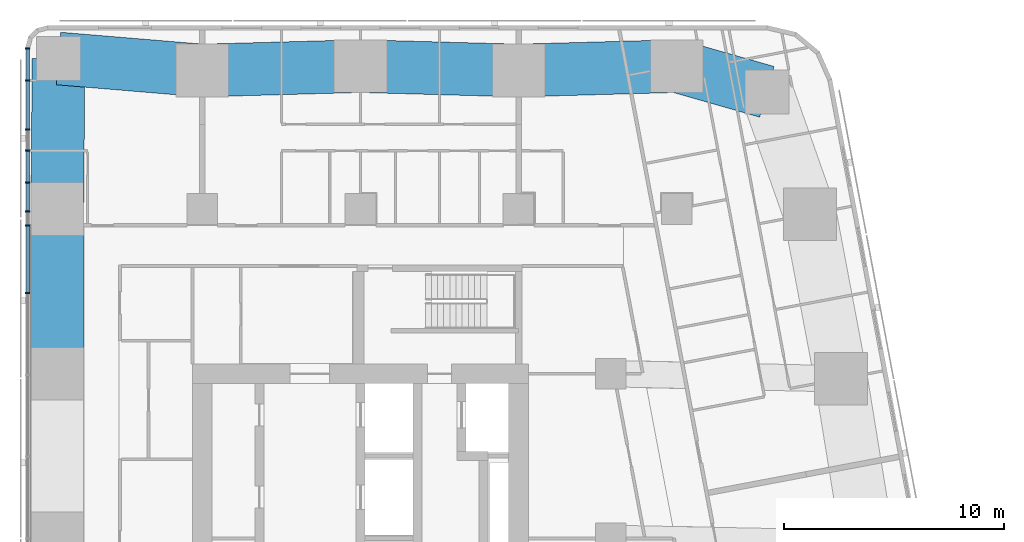
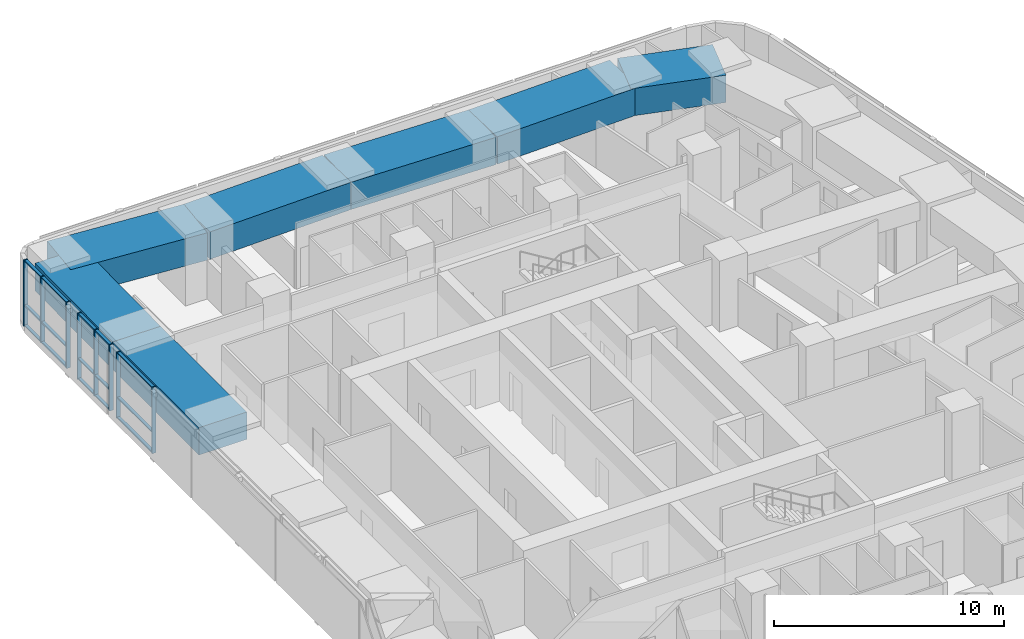
# One storey, part 5 of 19: 23 members, 7 beams, 1 element without a shape of its own.
"""IFC4 building model written with IfcOpenShell, lengths in metres."""

import ifcopenshell
import ifcopenshell.guid

model = None  # the IFC model being written
_history = None  # IfcOwnerHistory: only IFC2X3 demands one
_inside = {}  # id of a spatial element -> (the spatial element, [elements in it])
_under = {}  # id of a project, library or spatial element -> (it, [spatial elements below it])
_declared = {}  # id of a project -> (the project, [libraries it declares])
_typed = {}  # id of a type object -> (the type object, [elements of that type])
_made_of = {}  # id of a material, layer set ... -> (it, [elements and type objects made of it])


def new_model(schema):
    """Start an empty IFC model of exactly this schema.

    Asked for "IFC4X3", IfcOpenShell would pick the latest addendum, in which some entities
    have other attributes; the version numbers below select the first issue.
    IFC2X3 requires an IfcOwnerHistory on every rooted entity: one is made here for all.
    """
    global model, _history
    if schema == "IFC4X3":
        model = ifcopenshell.file(schema_version=(4, 3, 0, 0))
    else:
        model = ifcopenshell.file(schema=schema)
    _inside.clear()
    _under.clear()
    _declared.clear()
    _typed.clear()
    _made_of.clear()
    _history = None
    if model.schema == "IFC2X3":
        org = make("IfcOrganization", Name="unknown")
        user = make(
            "IfcPersonAndOrganization",
            ThePerson=make("IfcPerson", FamilyName="unknown"),
            TheOrganization=org,
        )
        app = make(
            "IfcApplication",
            ApplicationDeveloper=org,
            Version="unknown",
            ApplicationFullName="unknown",
            ApplicationIdentifier="unknown",
        )
        _history = make(
            "IfcOwnerHistory",
            OwningUser=user,
            OwningApplication=app,
            ChangeAction="ADDED",
            CreationDate=0,
        )
    return model


def make(cls, **values):
    """One entity of the class cls with the attributes given. An attribute that is None is left unset."""
    return model.create_entity(
        cls, **{name: value for name, value in values.items() if value is not None}
    )


def rooted(cls, **values):
    """An entity with a GlobalId (a new one), such as an element, a storey or a relation."""
    return make(cls, GlobalId=ifcopenshell.guid.new(), OwnerHistory=_history, **values)


def si_unit(unit_type, name, prefix=None):
    """IfcSIUnit, for example si_unit("LENGTHUNIT", "METRE", prefix="MILLI")."""
    return make("IfcSIUnit", UnitType=unit_type, Prefix=prefix, Name=name)


def assignment(units):
    """IfcUnitAssignment: the units of a project."""
    return None if units is None else make("IfcUnitAssignment", Units=units)


def point(xyz):
    """IfcCartesianPoint."""
    return None if xyz is None else make("IfcCartesianPoint", Coordinates=xyz)


def direction(xyz):
    """IfcDirection."""
    return None if xyz is None else make("IfcDirection", DirectionRatios=xyz)


def frame(location, z_axis=None, x_axis=None):
    """IfcAxis2Placement3D, a coordinate frame: its origin and axes. An axis left out is left unset."""
    return make(
        "IfcAxis2Placement3D",
        Location=point(location),
        Axis=direction(z_axis),
        RefDirection=direction(x_axis),
    )


def frame_2d(location, x_axis=None):
    """IfcAxis2Placement2D, a coordinate frame in the plane: its origin and x axis."""
    return make(
        "IfcAxis2Placement2D", Location=point(location), RefDirection=direction(x_axis)
    )


def origin():
    """The frame at (0, 0, 0) with its axes left unset."""
    return frame((0.0, 0.0, 0.0))


def origin_2d():
    """The frame at (0, 0) in the plane with its x axis left unset."""
    return frame_2d((0.0, 0.0))


def place(relative_to, where):
    """IfcLocalPlacement: puts the frame where relative to a parent placement (None: the world)."""
    return make(
        "IfcLocalPlacement", PlacementRelTo=relative_to, RelativePlacement=where
    )


def context(
    kind, dimensions, precision=None, world=None, true_north=None, identifier=None
):
    """IfcGeometricRepresentationContext, for example the 3D "Model" context."""
    return make(
        "IfcGeometricRepresentationContext",
        ContextIdentifier=identifier,
        ContextType=kind,
        CoordinateSpaceDimension=dimensions,
        Precision=precision,
        WorldCoordinateSystem=world,
        TrueNorth=true_north,
    )


def subcontext(parent, identifier, kind, view, scale=None):
    """IfcGeometricRepresentationSubContext, for example "Body" below "Model"."""
    return make(
        "IfcGeometricRepresentationSubContext",
        ContextIdentifier=identifier,
        ContextType=kind,
        ParentContext=parent,
        TargetScale=scale,
        TargetView=view,
    )


def project(units=None, contexts=None):
    """IfcProject with its units and contexts."""
    return rooted(
        "IfcProject",
        Name="project",
        RepresentationContexts=contexts,
        UnitsInContext=assignment(units),
    )


def spatial(cls, under=None, at=None, **own):
    """A site, building, storey or space (cls), placed at a placement, below another one or the project."""
    s = rooted(cls, ObjectPlacement=at, **own)
    if under is not None:
        _under.setdefault(under.id(), (under, []))[1].append(s)
    return s


def profile(cls, at=None, kind="AREA", **sizes):
    """A parametric profile (cls). Its sizes go by their IFC names, for example OverallWidth=200.0."""
    return make(cls, ProfileType=kind, Position=at, **sizes)


def rectangle(**sizes):
    """IfcRectangleProfileDef."""
    return profile("IfcRectangleProfileDef", **sizes)


def extrude(swept, where, along, depth):
    """IfcExtrudedAreaSolid: the profile swept, set in the frame where, extruded along a direction by depth."""
    return make(
        "IfcExtrudedAreaSolid",
        SweptArea=swept,
        Position=where,
        ExtrudedDirection=direction(along),
        Depth=depth,
    )


def shape(context_of_items, identifier, shape_type, items):
    """IfcShapeRepresentation: the items that make up one representation, for example the "Body"."""
    return make(
        "IfcShapeRepresentation",
        ContextOfItems=context_of_items,
        RepresentationIdentifier=identifier,
        RepresentationType=shape_type,
        Items=items,
    )


def material(Name=None, Category=None):
    """IfcMaterial."""
    return make("IfcMaterial", Name=Name, Category=Category)


def material_profile(
    of_material, cross_section, Name=None, Category=None, Priority=None
):
    """IfcMaterialProfile: a cross section and its material."""
    return make(
        "IfcMaterialProfile",
        Name=Name,
        Material=of_material,
        Profile=cross_section,
        Priority=Priority,
        Category=Category,
    )


def profile_set(profiles, Name=None, composite=None):
    """IfcMaterialProfileSet."""
    return make(
        "IfcMaterialProfileSet",
        Name=Name,
        MaterialProfiles=profiles,
        CompositeProfile=composite,
    )


def made_of(thing, what):
    """Note that an element or type object is made of a material, layer set ...; save() writes the relation."""
    if what is not None:
        _made_of.setdefault(what.id(), (what, []))[1].append(thing)
    return thing


def type_object(cls, material=None, **own):
    """A type object (cls), such as IfcWallType, which elements share."""
    return made_of(rooted(cls, **own), material)


def element(
    cls,
    number,
    at=None,
    inside=None,
    cuts=None,
    type_object=None,
    material=None,
    context=None,
    identifier="Body",
    shape_type=None,
    held_by="IfcProductDefinitionShape",
    body=None,
    shapes=None,
    **own,
):
    """One element of the class cls, such as IfcWall. Its Tag is "e" and its number.

    at: its placement. inside: the storey or other place that contains it. cuts: it is an
    opening in that element (IfcRelVoidsElement). A single representation is given by context,
    identifier, shape_type and body (its items); several are given by shapes. held_by: the class
    of the entity that holds the representations. save() writes the other relations.
    """
    e = rooted(cls, Tag="e%d" % number, ObjectPlacement=at, **own)
    if body is not None:
        shapes = [shape(context, identifier, shape_type, body)]
    if shapes is not None:
        e.Representation = make(held_by, Representations=shapes)
    if inside is not None:
        _inside.setdefault(inside.id(), (inside, []))[1].append(e)
    if cuts is not None:
        rooted(
            "IfcRelVoidsElement", RelatingBuildingElement=cuts, RelatedOpeningElement=e
        )
    if type_object is not None:
        _typed.setdefault(type_object.id(), (type_object, []))[1].append(e)
    return made_of(e, material)


def aggregate(whole, parts):
    """IfcRelAggregates: a whole, such as a stair, and the parts it consists of."""
    return rooted("IfcRelAggregates", RelatingObject=whole, RelatedObjects=parts)


def save(model, path):
    """Write the relations noted so far, then the file.

    IfcRelAggregates (storeys below a building ...), IfcRelContainedInSpatialStructure (elements
    in a storey), IfcRelDefinesByType, IfcRelAssociatesMaterial and IfcRelDeclares: one each for
    every whole, place, type object, material and project.
    """
    for whole, parts in _under.values():
        aggregate(whole, parts)
    for where, things in _inside.values():
        rooted(
            "IfcRelContainedInSpatialStructure",
            RelatedElements=things,
            RelatingStructure=where,
        )
    for kind, things in _typed.values():
        rooted("IfcRelDefinesByType", RelatedObjects=things, RelatingType=kind)
    for what, things in _made_of.values():
        rooted("IfcRelAssociatesMaterial", RelatedObjects=things, RelatingMaterial=what)
    for by, libraries in _declared.values():
        rooted("IfcRelDeclares", RelatingContext=by, RelatedDefinitions=libraries)
    model.write(path)


model = new_model("IFC4")

# Units and contexts
model_context = context("Model", 3, precision=1e-05, world=origin(), true_north=direction((0.0, 1.0)))
body_context = subcontext(model_context, "Body", "Model", "MODEL_VIEW")
ifc_project = project(units=[si_unit("LENGTHUNIT", "METRE"), si_unit("AREAUNIT", "SQUARE_METRE"), si_unit("VOLUMEUNIT", "CUBIC_METRE"), si_unit("PLANEANGLEUNIT", "RADIAN"), si_unit("MASSUNIT", "GRAM", prefix="KILO")], contexts=[model_context])

# Site, building, storey
site_placement = place(None, origin())
site = spatial("IfcSite", under=ifc_project, at=site_placement, CompositionType="ELEMENT")
building_placement = place(site_placement, origin())
building = spatial("IfcBuilding", under=site, at=building_placement, Name="Sheger Commons Tower", CompositionType="ELEMENT")
storey_placement = place(building_placement, frame((0.0, 0.0, 197.449951171875)))
storey = spatial("IfcBuildingStorey", under=building, at=storey_placement, Name="L50", CompositionType="ELEMENT", Elevation=197.449951171875)

# Curtain wall, members
ifc_material_1 = material(Name="Black aluminium curtain wall, dark tinted glazing", Category="aluminium")
curtain_wall_type = type_object("IfcCurtainWallType", Name="CURTAIN WALL CW4 GALLERY", PredefinedType="USERDEFINED", material=ifc_material_1)
curtain_wall_placement = place(storey_placement, origin())
curtain_wall = element("IfcCurtainWall", 1, at=curtain_wall_placement, inside=storey, type_object=curtain_wall_type, Name="Curtain Wall Cw4 Gallery W1 L50", ObjectType="UNITISED CURTAIN WALL", PredefinedType="USERDEFINED")
ifc_material_2 = material(Name="Black anodised aluminium", Category="aluminium")
ifc_material_profile_1 = material_profile(ifc_material_2, rectangle(XDim=0.199951171875, YDim=0.06494140625, at=origin_2d()), Name="AL 65x200")
ifc_profile_set_1 = profile_set([ifc_material_profile_1], Name="Black anodised aluminium")
member_type_1 = type_object("IfcMemberType", Name="MULLION AL 65x200", PredefinedType="MULLION", material=ifc_profile_set_1)
member_1_placement = place(storey_placement, frame((6.449951171875, 44.804443359375, 0.0), z_axis=(0.0, 0.0, 1.0), x_axis=(1.0, 0.0, 0.0)))
member_1 = element("IfcMember", 2, at=member_1_placement, type_object=member_type_1, Name="CW4 mullion 1", PredefinedType="MULLION", context=body_context, shape_type="SweptSolid", body=[
    extrude(rectangle(XDim=0.199951171875, YDim=0.06494140625, at=origin_2d()), origin(), (0.0, 0.0, 1.0), 3.5),
])
member_2_placement = place(storey_placement, frame((6.449951171875, 43.345947265625, 0.0), z_axis=(0.0, 0.0, 1.0), x_axis=(1.0, 0.0, 0.0)))
member_2 = element("IfcMember", 3, at=member_2_placement, type_object=member_type_1, Name="CW4 mullion 2", PredefinedType="MULLION", context=body_context, shape_type="SweptSolid", body=[
    extrude(rectangle(XDim=0.199951171875, YDim=0.06494140625, at=origin_2d()), origin(), (0.0, 0.0, 1.0), 3.5),
])
member_3_placement = place(storey_placement, frame((6.449951171875, 41.114013671875, 0.0), z_axis=(0.0, 0.0, 1.0), x_axis=(1.0, 0.0, 0.0)))
member_3 = element("IfcMember", 4, at=member_3_placement, type_object=member_type_1, Name="CW4 mullion 3", PredefinedType="MULLION", context=body_context, shape_type="SweptSolid", body=[
    extrude(rectangle(XDim=0.199951171875, YDim=0.06494140625, at=origin_2d()), origin(), (0.0, 0.0, 1.0), 3.5),
])
member_4_placement = place(storey_placement, frame((6.449951171875, 40.14990234375, 0.0), z_axis=(0.0, 0.0, 1.0), x_axis=(1.0, 0.0, 0.0)))
member_4 = element("IfcMember", 5, at=member_4_placement, type_object=member_type_1, Name="CW4 mullion 4", PredefinedType="MULLION", context=body_context, shape_type="SweptSolid", body=[
    extrude(rectangle(XDim=0.199951171875, YDim=0.06494140625, at=origin_2d()), origin(), (0.0, 0.0, 1.0), 3.5),
])
member_5_placement = place(storey_placement, frame((6.449951171875, 38.699951171875, 0.0), z_axis=(0.0, 0.0, 1.0), x_axis=(1.0, 0.0, 0.0)))
member_5 = element("IfcMember", 6, at=member_5_placement, type_object=member_type_1, Name="CW4 mullion 5", PredefinedType="MULLION", context=body_context, shape_type="SweptSolid", body=[
    extrude(rectangle(XDim=0.199951171875, YDim=0.06494140625, at=origin_2d()), origin(), (0.0, 0.0, 1.0), 3.5),
])
member_6_placement = place(storey_placement, frame((6.449951171875, 37.39111328125, 0.0), z_axis=(0.0, 0.0, 1.0), x_axis=(1.0, 0.0, 0.0)))
member_6 = element("IfcMember", 7, at=member_6_placement, type_object=member_type_1, Name="CW4 mullion 6", PredefinedType="MULLION", context=body_context, shape_type="SweptSolid", body=[
    extrude(rectangle(XDim=0.199951171875, YDim=0.06494140625, at=origin_2d()), origin(), (0.0, 0.0, 1.0), 3.5),
])
member_7_placement = place(storey_placement, frame((6.449951171875, 36.75, 0.0), z_axis=(0.0, 0.0, 1.0), x_axis=(1.0, 0.0, 0.0)))
member_7 = element("IfcMember", 8, at=member_7_placement, type_object=member_type_1, Name="CW4 mullion 7", PredefinedType="MULLION", context=body_context, shape_type="SweptSolid", body=[
    extrude(rectangle(XDim=0.199951171875, YDim=0.06494140625, at=origin_2d()), origin(), (0.0, 0.0, 1.0), 3.5),
])
member_8_placement = place(storey_placement, frame((6.449951171875, 33.66796875, 0.0), z_axis=(0.0, 0.0, 1.0), x_axis=(1.0, 0.0, 0.0)))
member_8 = element("IfcMember", 9, at=member_8_placement, type_object=member_type_1, Name="CW4 mullion 8", PredefinedType="MULLION", context=body_context, shape_type="SweptSolid", body=[
    extrude(rectangle(XDim=0.199951171875, YDim=0.06494140625, at=origin_2d()), origin(), (0.0, 0.0, 1.0), 3.5),
])

# Beams
ifc_material_3 = material(Name="Concrete C50/60", Category="concrete")
ifc_material_profile_2 = material_profile(ifc_material_3, rectangle(XDim=2.39990234375, YDim=1.449951171875, at=origin_2d()), Name="RC 2400x1450")
ifc_profile_set_2 = profile_set([ifc_material_profile_2], Name="Concrete C50/60")
beam_type = type_object("IfcBeamType", Name="SPANDREL RC 2400x1450", PredefinedType="SPANDREL", material=ifc_profile_set_2)
beam_1_placement = place(storey_placement, frame((40.10205078125, 42.830078125, 2.775146484375), z_axis=(-0.961653428129, 0.274267541221, 0.0), x_axis=(-0.274267541221, -0.961653428129, 0.0)))
element("IfcBeam", 10, at=beam_1_placement, inside=storey, type_object=beam_type, Name="Beam 41.490,44.505-6/G under L51", PredefinedType="SPANDREL", context=body_context, shape_type="SweptSolid", body=[
    extrude(rectangle(XDim=2.39990234375, YDim=1.449951171875, at=origin_2d()), origin(), (0.0, 0.0, 1.0), 4.265625),
])
for number, where, z_axis, x_axis, name in (
    (11, (36.0, 44.0, 2.775146484375), (-0.999614603568, -0.027760481514, 0.0), (0.027760481514, -0.999614603568, 0.0), "Beam 6/G-5/G under L51"),
    (12, (28.800048828125, 43.800048828125, 2.775146484375), (-0.999614603568, 0.027760481514, 0.0), (-0.027760481514, -0.999614603568, 0.0), "Beam 5/G-4/G under L51"),
):
    element("IfcBeam", number, at=place(storey_placement, frame(where, z_axis=z_axis, x_axis=x_axis)), inside=storey, type_object=beam_type, Name=name, PredefinedType="SPANDREL", context=body_context, shape_type="SweptSolid", body=[
        extrude(rectangle(XDim=2.39990234375, YDim=1.449951171875, at=origin_2d()), origin(), (0.0, 0.0, 1.0), 7.20263671875),
    ])
beam_2_placement = place(storey_placement, frame((21.60009765625, 44.0, 2.775146484375), z_axis=(-0.999614629688, -0.027759540951, 0.0), x_axis=(0.027759540951, -0.999614629688, 0.0)))
element("IfcBeam", 13, at=beam_2_placement, inside=storey, type_object=beam_type, Name="Beam 4/G-3/G under L51", PredefinedType="SPANDREL", context=body_context, shape_type="SweptSolid", body=[
    extrude(rectangle(XDim=2.39990234375, YDim=1.449951171875, at=origin_2d()), origin(), (0.0, 0.0, 1.0), 7.202880859375),
])
beam_3_placement = place(storey_placement, frame((14.39990234375, 43.800048828125, 2.775146484375), z_axis=(-0.996540629765, 0.083106998663, 0.0), x_axis=(-0.083106998663, -0.996540629765, 0.0)))
element("IfcBeam", 14, at=beam_3_placement, inside=storey, type_object=beam_type, Name="Beam 3/G-2/G under L51", PredefinedType="SPANDREL", context=body_context, shape_type="SweptSolid", body=[
    extrude(rectangle(XDim=2.39990234375, YDim=1.449951171875, at=origin_2d()), origin(), (0.0, 0.0, 1.0), 6.568603515625),
])
beam_4_placement = place(storey_placement, frame((7.85400390625, 44.345947265625, 2.775146484375), z_axis=(-0.00788107188, -0.999968943871, 0.0), x_axis=(0.999968943871, -0.00788107188, 0.0)))
element("IfcBeam", 15, at=beam_4_placement, inside=storey, type_object=beam_type, Name="Beam 2/G-2/F under L51", PredefinedType="SPANDREL", context=body_context, shape_type="SweptSolid", body=[
    extrude(rectangle(XDim=2.39990234375, YDim=1.449951171875, at=origin_2d()), origin(), (0.0, 0.0, 1.0), 6.84619140625),
])
beam_5_placement = place(storey_placement, frame((7.800048828125, 37.5, 2.775146484375), z_axis=(0.0, -1.0, 0.0), x_axis=(1.0, 0.0, 0.0)))
element("IfcBeam", 16, at=beam_5_placement, inside=storey, type_object=beam_type, Name="Beam 2/F-2/E under L51", PredefinedType="SPANDREL", context=body_context, shape_type="SweptSolid", body=[
    extrude(rectangle(XDim=2.39990234375, YDim=1.449951171875, at=origin_2d()), origin(), (0.0, 0.0, 1.0), 7.5),
])

# Member
ifc_material_4 = material(Name="Black anodised aluminium", Category="aluminium")
ifc_material_profile_3 = material_profile(ifc_material_4, rectangle(XDim=0.14990234375, YDim=0.06494140625, at=origin_2d()), Name="AL 65x150")
ifc_profile_set_3 = profile_set([ifc_material_profile_3], Name="Black anodised aluminium")
member_type_2 = type_object("IfcMemberType", Name="TRANSOM AL 65x150", PredefinedType="USERDEFINED", material=ifc_profile_set_3)
member_9_placement = place(storey_placement, frame((6.449951171875, 44.77197265625, 0.032470703125), z_axis=(0.0, -1.0, 0.0), x_axis=(1.0, 0.0, 0.0)))
member_9 = element("IfcMember", 17, at=member_9_placement, type_object=member_type_2, Name="CW4 transom 1.1", ObjectType="TRANSOM", PredefinedType="USERDEFINED", context=body_context, shape_type="SweptSolid", body=[
    extrude(rectangle(XDim=0.14990234375, YDim=0.06494140625, at=origin_2d()), origin(), (0.0, 0.0, 1.0), 1.3935546875),
])

member_10_placement = place(storey_placement, frame((6.449951171875, 44.77197265625, 1.10009765625), z_axis=(0.0, -1.0, 0.0), x_axis=(1.0, 0.0, 0.0)))
member_10 = element("IfcMember", 18, at=member_10_placement, type_object=member_type_2, Name="CW4 transom 1.2", ObjectType="TRANSOM", PredefinedType="USERDEFINED", context=body_context, shape_type="SweptSolid", body=[
    extrude(rectangle(XDim=0.14990234375, YDim=0.06494140625, at=origin_2d()), origin(), (0.0, 0.0, 1.0), 1.3935546875),
])

member_11_placement = place(storey_placement, frame((6.449951171875, 44.77197265625, 3.467529296875), z_axis=(0.0, -1.0, 0.0), x_axis=(1.0, 0.0, 0.0)))
member_11 = element("IfcMember", 19, at=member_11_placement, type_object=member_type_2, Name="CW4 transom 1.3", ObjectType="TRANSOM", PredefinedType="USERDEFINED", context=body_context, shape_type="SweptSolid", body=[
    extrude(rectangle(XDim=0.14990234375, YDim=0.06494140625, at=origin_2d()), origin(), (0.0, 0.0, 1.0), 1.3935546875),
])

member_12_placement = place(storey_placement, frame((6.449951171875, 43.3134765625, 0.032470703125), z_axis=(0.0, -1.0, 0.0), x_axis=(1.0, 0.0, 0.0)))
member_12 = element("IfcMember", 20, at=member_12_placement, type_object=member_type_2, Name="CW4 transom 2.1", ObjectType="TRANSOM", PredefinedType="USERDEFINED", context=body_context, shape_type="SweptSolid", body=[
    extrude(rectangle(XDim=0.14990234375, YDim=0.06494140625, at=origin_2d()), origin(), (0.0, 0.0, 1.0), 2.1669921875),
])

member_13_placement = place(storey_placement, frame((6.449951171875, 43.3134765625, 1.10009765625), z_axis=(0.0, -1.0, 0.0), x_axis=(1.0, 0.0, 0.0)))
member_13 = element("IfcMember", 21, at=member_13_placement, type_object=member_type_2, Name="CW4 transom 2.2", ObjectType="TRANSOM", PredefinedType="USERDEFINED", context=body_context, shape_type="SweptSolid", body=[
    extrude(rectangle(XDim=0.14990234375, YDim=0.06494140625, at=origin_2d()), origin(), (0.0, 0.0, 1.0), 2.1669921875),
])

member_14_placement = place(storey_placement, frame((6.449951171875, 43.3134765625, 3.467529296875), z_axis=(0.0, -1.0, 0.0), x_axis=(1.0, 0.0, 0.0)))
member_14 = element("IfcMember", 22, at=member_14_placement, type_object=member_type_2, Name="CW4 transom 2.3", ObjectType="TRANSOM", PredefinedType="USERDEFINED", context=body_context, shape_type="SweptSolid", body=[
    extrude(rectangle(XDim=0.14990234375, YDim=0.06494140625, at=origin_2d()), origin(), (0.0, 0.0, 1.0), 2.1669921875),
])

member_15_placement = place(storey_placement, frame((6.449951171875, 40.117431640625, 0.032470703125), z_axis=(0.0, -1.0, 0.0), x_axis=(1.0, 0.0, 0.0)))
member_15 = element("IfcMember", 23, at=member_15_placement, type_object=member_type_2, Name="CW4 transom 4.1", ObjectType="TRANSOM", PredefinedType="USERDEFINED", context=body_context, shape_type="SweptSolid", body=[
    extrude(rectangle(XDim=0.14990234375, YDim=0.06494140625, at=origin_2d()), origin(), (0.0, 0.0, 1.0), 1.385009765625),
])

member_16_placement = place(storey_placement, frame((6.449951171875, 40.117431640625, 1.10009765625), z_axis=(0.0, -1.0, 0.0), x_axis=(1.0, 0.0, 0.0)))
member_16 = element("IfcMember", 24, at=member_16_placement, type_object=member_type_2, Name="CW4 transom 4.2", ObjectType="TRANSOM", PredefinedType="USERDEFINED", context=body_context, shape_type="SweptSolid", body=[
    extrude(rectangle(XDim=0.14990234375, YDim=0.06494140625, at=origin_2d()), origin(), (0.0, 0.0, 1.0), 1.385009765625),
])

member_17_placement = place(storey_placement, frame((6.449951171875, 40.117431640625, 3.467529296875), z_axis=(0.0, -1.0, 0.0), x_axis=(1.0, 0.0, 0.0)))
member_17 = element("IfcMember", 25, at=member_17_placement, type_object=member_type_2, Name="CW4 transom 4.3", ObjectType="TRANSOM", PredefinedType="USERDEFINED", context=body_context, shape_type="SweptSolid", body=[
    extrude(rectangle(XDim=0.14990234375, YDim=0.06494140625, at=origin_2d()), origin(), (0.0, 0.0, 1.0), 1.385009765625),
])

member_18_placement = place(storey_placement, frame((6.449951171875, 38.66748046875, 0.032470703125), z_axis=(0.0, -1.0, 0.0), x_axis=(1.0, 0.0, 0.0)))
member_18 = element("IfcMember", 26, at=member_18_placement, type_object=member_type_2, Name="CW4 transom 5.1", ObjectType="TRANSOM", PredefinedType="USERDEFINED", context=body_context, shape_type="SweptSolid", body=[
    extrude(rectangle(XDim=0.14990234375, YDim=0.06494140625, at=origin_2d()), origin(), (0.0, 0.0, 1.0), 1.243896484375),
])

member_19_placement = place(storey_placement, frame((6.449951171875, 38.66748046875, 1.10009765625), z_axis=(0.0, -1.0, 0.0), x_axis=(1.0, 0.0, 0.0)))
member_19 = element("IfcMember", 27, at=member_19_placement, type_object=member_type_2, Name="CW4 transom 5.2", ObjectType="TRANSOM", PredefinedType="USERDEFINED", context=body_context, shape_type="SweptSolid", body=[
    extrude(rectangle(XDim=0.14990234375, YDim=0.06494140625, at=origin_2d()), origin(), (0.0, 0.0, 1.0), 1.243896484375),
])

member_20_placement = place(storey_placement, frame((6.449951171875, 38.66748046875, 3.467529296875), z_axis=(0.0, -1.0, 0.0), x_axis=(1.0, 0.0, 0.0)))
member_20 = element("IfcMember", 28, at=member_20_placement, type_object=member_type_2, Name="CW4 transom 5.3", ObjectType="TRANSOM", PredefinedType="USERDEFINED", context=body_context, shape_type="SweptSolid", body=[
    extrude(rectangle(XDim=0.14990234375, YDim=0.06494140625, at=origin_2d()), origin(), (0.0, 0.0, 1.0), 1.243896484375),
])

member_21_placement = place(storey_placement, frame((6.449951171875, 36.717529296875, 0.032470703125), z_axis=(0.0, -1.0, 0.0), x_axis=(1.0, 0.0, 0.0)))
member_21 = element("IfcMember", 29, at=member_21_placement, type_object=member_type_2, Name="CW4 transom 7.1", ObjectType="TRANSOM", PredefinedType="USERDEFINED", context=body_context, shape_type="SweptSolid", body=[
    extrude(rectangle(XDim=0.14990234375, YDim=0.06494140625, at=origin_2d()), origin(), (0.0, 0.0, 1.0), 3.01708984375),
])

member_22_placement = place(storey_placement, frame((6.449951171875, 36.717529296875, 1.10009765625), z_axis=(0.0, -1.0, 0.0), x_axis=(1.0, 0.0, 0.0)))
member_22 = element("IfcMember", 30, at=member_22_placement, type_object=member_type_2, Name="CW4 transom 7.2", ObjectType="TRANSOM", PredefinedType="USERDEFINED", context=body_context, shape_type="SweptSolid", body=[
    extrude(rectangle(XDim=0.14990234375, YDim=0.06494140625, at=origin_2d()), origin(), (0.0, 0.0, 1.0), 3.01708984375),
])

member_23_placement = place(storey_placement, frame((6.449951171875, 36.717529296875, 3.467529296875), z_axis=(0.0, -1.0, 0.0), x_axis=(1.0, 0.0, 0.0)))
member_23 = element("IfcMember", 31, at=member_23_placement, type_object=member_type_2, Name="CW4 transom 7.3", ObjectType="TRANSOM", PredefinedType="USERDEFINED", context=body_context, shape_type="SweptSolid", body=[
    extrude(rectangle(XDim=0.14990234375, YDim=0.06494140625, at=origin_2d()), origin(), (0.0, 0.0, 1.0), 3.01708984375),
])

aggregate(curtain_wall, [member_1, member_2, member_3, member_4, member_5, member_6, member_7, member_8, member_9, member_10, member_11, member_12, member_13, member_14, member_15, member_16, member_17, member_18, member_19, member_20, member_21, member_22, member_23])

save(model, "model.ifc")
